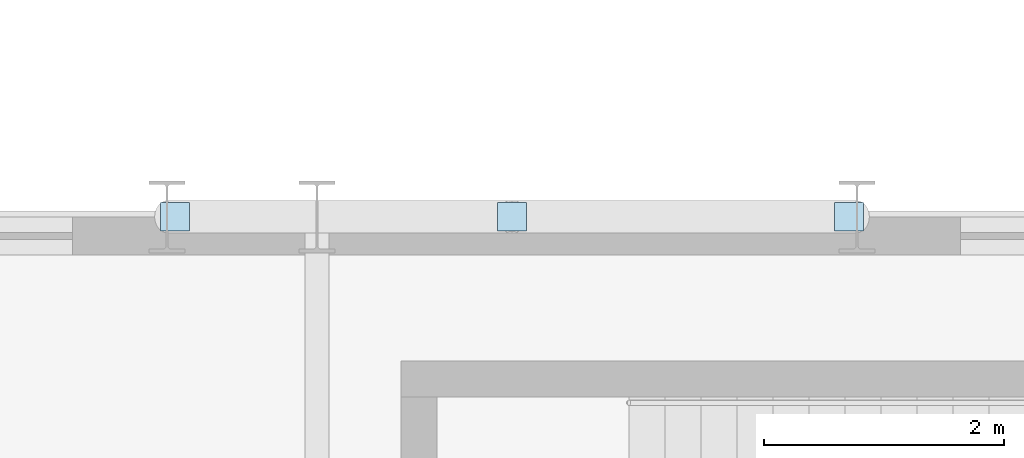
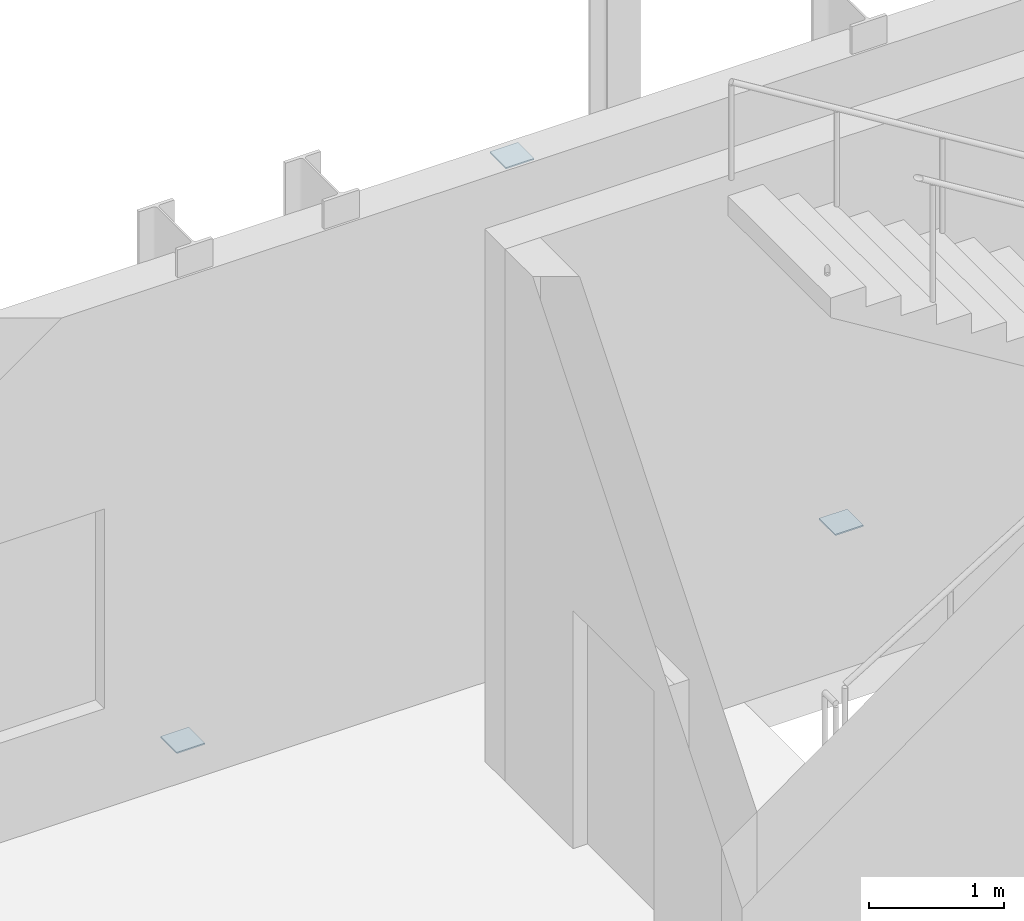
# One storey, part 18 of 60: 3 plates.
"""IFC4 building model written with IfcOpenShell, lengths in metres."""

import ifcopenshell
import ifcopenshell.guid

model = None  # the IFC model being written
_history = None  # IfcOwnerHistory: only IFC2X3 demands one
_inside = {}  # id of a spatial element -> (the spatial element, [elements in it])
_under = {}  # id of a project, library or spatial element -> (it, [spatial elements below it])
_declared = {}  # id of a project -> (the project, [libraries it declares])
_typed = {}  # id of a type object -> (the type object, [elements of that type])
_made_of = {}  # id of a material, layer set ... -> (it, [elements and type objects made of it])


def new_model(schema):
    """Start an empty IFC model of exactly this schema.

    Asked for "IFC4X3", IfcOpenShell would pick the latest addendum, in which some entities
    have other attributes; the version numbers below select the first issue.
    IFC2X3 requires an IfcOwnerHistory on every rooted entity: one is made here for all.
    """
    global model, _history
    if schema == "IFC4X3":
        model = ifcopenshell.file(schema_version=(4, 3, 0, 0))
    else:
        model = ifcopenshell.file(schema=schema)
    _inside.clear()
    _under.clear()
    _declared.clear()
    _typed.clear()
    _made_of.clear()
    _history = None
    if model.schema == "IFC2X3":
        org = make("IfcOrganization", Name="unknown")
        user = make(
            "IfcPersonAndOrganization",
            ThePerson=make("IfcPerson", FamilyName="unknown"),
            TheOrganization=org,
        )
        app = make(
            "IfcApplication",
            ApplicationDeveloper=org,
            Version="unknown",
            ApplicationFullName="unknown",
            ApplicationIdentifier="unknown",
        )
        _history = make(
            "IfcOwnerHistory",
            OwningUser=user,
            OwningApplication=app,
            ChangeAction="ADDED",
            CreationDate=0,
        )
    return model


def make(cls, **values):
    """One entity of the class cls with the attributes given. An attribute that is None is left unset."""
    return model.create_entity(
        cls, **{name: value for name, value in values.items() if value is not None}
    )


def rooted(cls, **values):
    """An entity with a GlobalId (a new one), such as an element, a storey or a relation."""
    return make(cls, GlobalId=ifcopenshell.guid.new(), OwnerHistory=_history, **values)


def si_unit(unit_type, name, prefix=None):
    """IfcSIUnit, for example si_unit("LENGTHUNIT", "METRE", prefix="MILLI")."""
    return make("IfcSIUnit", UnitType=unit_type, Prefix=prefix, Name=name)


def assignment(units):
    """IfcUnitAssignment: the units of a project."""
    return None if units is None else make("IfcUnitAssignment", Units=units)


def point(xyz):
    """IfcCartesianPoint."""
    return None if xyz is None else make("IfcCartesianPoint", Coordinates=xyz)


def direction(xyz):
    """IfcDirection."""
    return None if xyz is None else make("IfcDirection", DirectionRatios=xyz)


def frame(location, z_axis=None, x_axis=None):
    """IfcAxis2Placement3D, a coordinate frame: its origin and axes. An axis left out is left unset."""
    return make(
        "IfcAxis2Placement3D",
        Location=point(location),
        Axis=direction(z_axis),
        RefDirection=direction(x_axis),
    )


def frame_2d(location, x_axis=None):
    """IfcAxis2Placement2D, a coordinate frame in the plane: its origin and x axis."""
    return make(
        "IfcAxis2Placement2D", Location=point(location), RefDirection=direction(x_axis)
    )


def origin():
    """The frame at (0, 0, 0) with its axes left unset."""
    return frame((0.0, 0.0, 0.0))


def origin_2d():
    """The frame at (0, 0) in the plane with its x axis left unset."""
    return frame_2d((0.0, 0.0))


def place(relative_to, where):
    """IfcLocalPlacement: puts the frame where relative to a parent placement (None: the world)."""
    return make(
        "IfcLocalPlacement", PlacementRelTo=relative_to, RelativePlacement=where
    )


def context(
    kind, dimensions, precision=None, world=None, true_north=None, identifier=None
):
    """IfcGeometricRepresentationContext, for example the 3D "Model" context."""
    return make(
        "IfcGeometricRepresentationContext",
        ContextIdentifier=identifier,
        ContextType=kind,
        CoordinateSpaceDimension=dimensions,
        Precision=precision,
        WorldCoordinateSystem=world,
        TrueNorth=true_north,
    )


def subcontext(parent, identifier, kind, view, scale=None):
    """IfcGeometricRepresentationSubContext, for example "Body" below "Model"."""
    return make(
        "IfcGeometricRepresentationSubContext",
        ContextIdentifier=identifier,
        ContextType=kind,
        ParentContext=parent,
        TargetScale=scale,
        TargetView=view,
    )


def project(units=None, contexts=None):
    """IfcProject with its units and contexts."""
    return rooted(
        "IfcProject",
        Name="project",
        RepresentationContexts=contexts,
        UnitsInContext=assignment(units),
    )


def spatial(cls, under=None, at=None, **own):
    """A site, building, storey or space (cls), placed at a placement, below another one or the project."""
    s = rooted(cls, ObjectPlacement=at, **own)
    if under is not None:
        _under.setdefault(under.id(), (under, []))[1].append(s)
    return s


def profile(cls, at=None, kind="AREA", **sizes):
    """A parametric profile (cls). Its sizes go by their IFC names, for example OverallWidth=200.0."""
    return make(cls, ProfileType=kind, Position=at, **sizes)


def rectangle(**sizes):
    """IfcRectangleProfileDef."""
    return profile("IfcRectangleProfileDef", **sizes)


def extrude(swept, where, along, depth):
    """IfcExtrudedAreaSolid: the profile swept, set in the frame where, extruded along a direction by depth."""
    return make(
        "IfcExtrudedAreaSolid",
        SweptArea=swept,
        Position=where,
        ExtrudedDirection=direction(along),
        Depth=depth,
    )


def shape(context_of_items, identifier, shape_type, items):
    """IfcShapeRepresentation: the items that make up one representation, for example the "Body"."""
    return make(
        "IfcShapeRepresentation",
        ContextOfItems=context_of_items,
        RepresentationIdentifier=identifier,
        RepresentationType=shape_type,
        Items=items,
    )


def material(Name=None, Category=None):
    """IfcMaterial."""
    return make("IfcMaterial", Name=Name, Category=Category)


def layer(
    of_material, thickness, ventilated=None, Name=None, Category=None, Priority=None
):
    """IfcMaterialLayer: one layer of a wall or slab, of a material (None: an air gap)."""
    return make(
        "IfcMaterialLayer",
        Material=of_material,
        LayerThickness=thickness,
        IsVentilated=ventilated,
        Name=Name,
        Category=Category,
        Priority=Priority,
    )


def layer_set(layers, Name=None):
    """IfcMaterialLayerSet."""
    return make("IfcMaterialLayerSet", MaterialLayers=layers, LayerSetName=Name)


def made_of(thing, what):
    """Note that an element or type object is made of a material, layer set ...; save() writes the relation."""
    if what is not None:
        _made_of.setdefault(what.id(), (what, []))[1].append(thing)
    return thing


def type_object(cls, material=None, **own):
    """A type object (cls), such as IfcWallType, which elements share."""
    return made_of(rooted(cls, **own), material)


def element(
    cls,
    number,
    at=None,
    inside=None,
    cuts=None,
    type_object=None,
    material=None,
    context=None,
    identifier="Body",
    shape_type=None,
    held_by="IfcProductDefinitionShape",
    body=None,
    shapes=None,
    **own,
):
    """One element of the class cls, such as IfcWall. Its Tag is "e" and its number.

    at: its placement. inside: the storey or other place that contains it. cuts: it is an
    opening in that element (IfcRelVoidsElement). A single representation is given by context,
    identifier, shape_type and body (its items); several are given by shapes. held_by: the class
    of the entity that holds the representations. save() writes the other relations.
    """
    e = rooted(cls, Tag="e%d" % number, ObjectPlacement=at, **own)
    if body is not None:
        shapes = [shape(context, identifier, shape_type, body)]
    if shapes is not None:
        e.Representation = make(held_by, Representations=shapes)
    if inside is not None:
        _inside.setdefault(inside.id(), (inside, []))[1].append(e)
    if cuts is not None:
        rooted(
            "IfcRelVoidsElement", RelatingBuildingElement=cuts, RelatedOpeningElement=e
        )
    if type_object is not None:
        _typed.setdefault(type_object.id(), (type_object, []))[1].append(e)
    return made_of(e, material)


def aggregate(whole, parts):
    """IfcRelAggregates: a whole, such as a stair, and the parts it consists of."""
    return rooted("IfcRelAggregates", RelatingObject=whole, RelatedObjects=parts)


def save(model, path):
    """Write the relations noted so far, then the file.

    IfcRelAggregates (storeys below a building ...), IfcRelContainedInSpatialStructure (elements
    in a storey), IfcRelDefinesByType, IfcRelAssociatesMaterial and IfcRelDeclares: one each for
    every whole, place, type object, material and project.
    """
    for whole, parts in _under.values():
        aggregate(whole, parts)
    for where, things in _inside.values():
        rooted(
            "IfcRelContainedInSpatialStructure",
            RelatedElements=things,
            RelatingStructure=where,
        )
    for kind, things in _typed.values():
        rooted("IfcRelDefinesByType", RelatedObjects=things, RelatingType=kind)
    for what, things in _made_of.values():
        rooted("IfcRelAssociatesMaterial", RelatedObjects=things, RelatingMaterial=what)
    for by, libraries in _declared.values():
        rooted("IfcRelDeclares", RelatingContext=by, RelatedDefinitions=libraries)
    model.write(path)


model = new_model("IFC4")

# Units and contexts
model_context = context("Model", 3, precision=1e-05, world=origin(), true_north=direction((0.0, 1.0)))
body_context = subcontext(model_context, "Body", "Model", "MODEL_VIEW")
ifc_project = project(units=[si_unit("LENGTHUNIT", "METRE"), si_unit("AREAUNIT", "SQUARE_METRE"), si_unit("VOLUMEUNIT", "CUBIC_METRE"), si_unit("PLANEANGLEUNIT", "RADIAN"), si_unit("MASSUNIT", "GRAM", prefix="KILO")], contexts=[model_context])

# Site, building, storey
site_placement = place(None, origin())
site = spatial("IfcSite", under=ifc_project, at=site_placement, CompositionType="ELEMENT")
building_placement = place(site_placement, origin())
building = spatial("IfcBuilding", under=site, at=building_placement, Name="Cymarion Research Institute", CompositionType="ELEMENT")
storey_placement = place(building_placement, origin())
storey = spatial("IfcBuildingStorey", under=building, at=storey_placement, Name="L00", CompositionType="ELEMENT", Elevation=0.0)

# Plates
ifc_material = material(Name="Steel S355", Category="steel")
ifc_layer = layer(ifc_material, 0.011962890625)
ifc_layer_set = layer_set([ifc_layer], Name="Steel S355")
plate_type = type_object("IfcPlateType", Name="STEEL NODE GUSSET PLATE CP02 12MM", PredefinedType="USERDEFINED", material=ifc_layer_set)
for number, where, z_axis, x_axis, name in (
    (1, (88.22509765625, 41.5, 4.40380859375), (0.0, 0.0, 1.0), (1.0, 0.0, 0.0), "L00 V2 chevron apex gusset plate"),
    (2, (85.416748046875, 41.5, 0.1142578125), (0.0, 0.0, 1.0), (1.0, 0.0, 0.0), "L00 V2 chevron base gusset plate #1"),
    (3, (91.033203125, 41.5, 0.1142578125), (0.0, 0.0, 1.0), (1.0, 0.0, 0.0), "L00 V2 chevron base gusset plate #2"),
):
    element("IfcPlate", number, at=place(storey_placement, frame(where, z_axis=z_axis, x_axis=x_axis)), inside=storey, type_object=plate_type, Name=name, ObjectType="GUSSET PLATE", PredefinedType="USERDEFINED", context=body_context, shape_type="SweptSolid", body=[
        extrude(rectangle(XDim=0.239990234375, YDim=0.239990234375, at=origin_2d()), origin(), (0.0, 0.0, 1.0), 0.011962890625),
    ])

save(model, "model.ifc")
